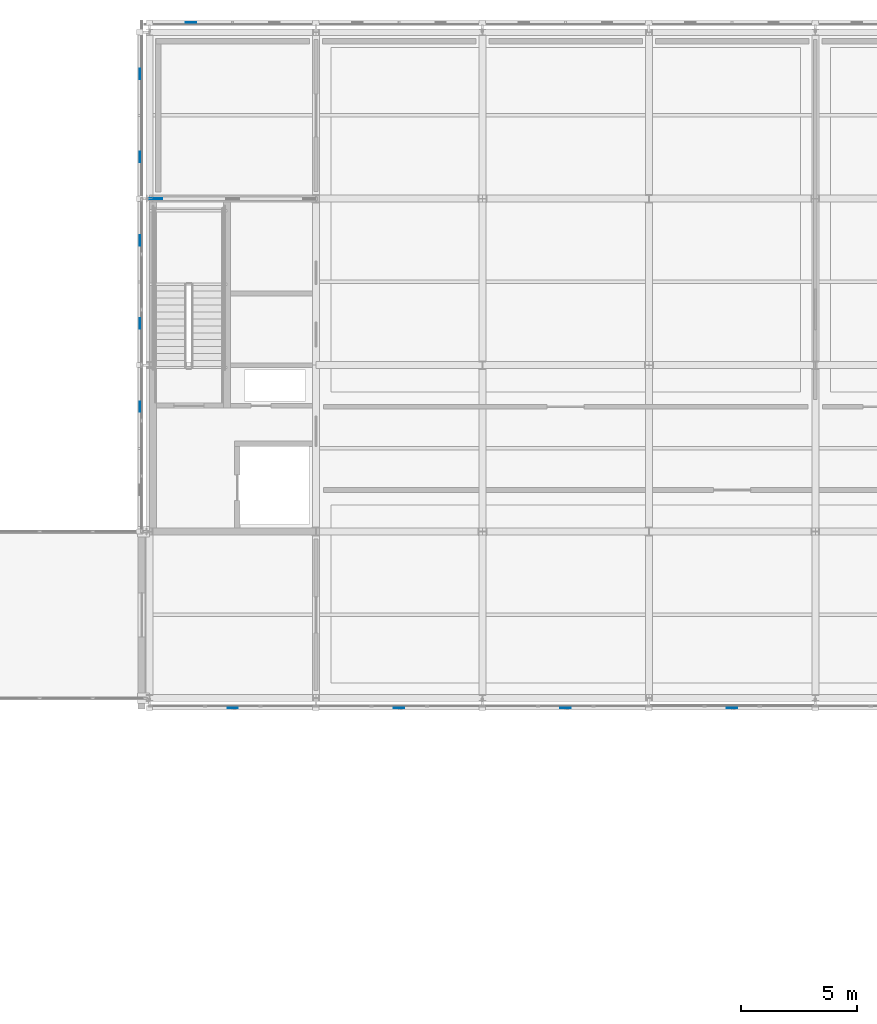
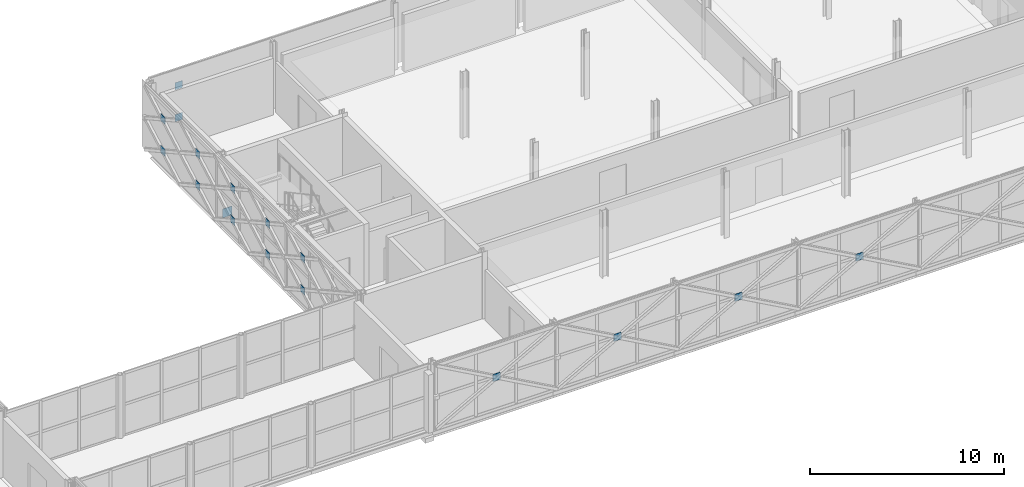
# One storey, part 81 of 103: 17 plates.
"""IFC4 building model written with IfcOpenShell, lengths in metres."""

from ifc_helpers import new_model, si_unit, direction, frame, origin, origin_2d, place, context, subcontext, project, spatial, rectangle, extrude, material, layer, layer_set, type_object, element, save


model = new_model("IFC4")

# Units and contexts
model_context = context("Model", 3, precision=1e-05, world=origin(), true_north=direction((0.0, 1.0)))
body_context = subcontext(model_context, "Body", "Model", "MODEL_VIEW")
ifc_project = project(units=[si_unit("LENGTHUNIT", "METRE"), si_unit("AREAUNIT", "SQUARE_METRE"), si_unit("VOLUMEUNIT", "CUBIC_METRE"), si_unit("PLANEANGLEUNIT", "RADIAN"), si_unit("MASSUNIT", "GRAM", prefix="KILO")], contexts=[model_context])

# Site, building, storey
site_placement = place(None, origin())
site = spatial("IfcSite", under=ifc_project, at=site_placement, CompositionType="ELEMENT")
building_placement = place(site_placement, origin())
building = spatial("IfcBuilding", under=site, at=building_placement, Name="Zlatovets Crest Museum", CompositionType="ELEMENT")
storey_placement = place(building_placement, frame((0.0, 0.0, 12.89990234375)))
storey = spatial("IfcBuildingStorey", under=building, at=storey_placement, Name="L03", CompositionType="ELEMENT", Elevation=12.89990234375)

# Plates
ifc_material = material(Name="Structural steel S355J2", Category="steel")
ifc_layer_1 = layer(ifc_material, 0.02490234375)
ifc_layer_set_1 = layer_set([ifc_layer_1], Name="Structural steel S355J2")
plate_type_1 = type_object("IfcPlateType", Name="Gusset_GP-01", PredefinedType="USERDEFINED", material=ifc_layer_set_1)
plate_placement = place(storey_placement, frame((57.8798828125, 108.0, 0.0048828125), z_axis=(0.0, 0.0, 1.0), x_axis=(1.0, 0.0, 0.0)))
element("IfcPlate", 1, at=plate_placement, inside=storey, type_object=plate_type_1, Name="V1 L03 Brace End Gusset Plate GP-01", ObjectType="GUSSET", PredefinedType="USERDEFINED", context=body_context, shape_type="SweptSolid", body=[
    extrude(rectangle(XDim=0.550048828125, YDim=0.02490234375, at=origin_2d()), origin(), (0.0, 0.0, 1.0), 0.550048828125),
])
ifc_layer_2 = layer(ifc_material, 0.02001953125)
ifc_layer_set_2 = layer_set([ifc_layer_2], Name="Structural steel S355J2")
plate_type_2 = type_object("IfcPlateType", Name="Gusset_GP-04", PredefinedType="USERDEFINED", material=ifc_layer_set_2)
for number, where, z_axis, x_axis, name in (
    (2, (61.199951171875, 85.97998046875, 1.875), (0.0, 0.0, 1.0), (1.0, 0.0, 0.0), "X-Brace Crossing Node Gusset Plate GP-04"),
    (3, (68.39990234375, 85.97998046875, 1.875), (0.0, 0.0, 1.0), (1.0, 0.0, 0.0), "X-Brace Crossing Node Gusset Plate GP-04"),
    (4, (75.60009765625, 85.97998046875, 1.875), (0.0, 0.0, 1.0), (1.0, 0.0, 0.0), "X-Brace Crossing Node Gusset Plate GP-04"),
    (5, (82.800048828125, 85.97998046875, 1.875), (0.0, 0.0, 1.0), (1.0, 0.0, 0.0), "X-Brace Crossing Node Gusset Plate GP-04"),
    (6, (59.39990234375, 115.6201171875, 0.875), (0.0, 0.0, 1.0), (1.0, 0.0, 0.0), "X-Brace Crossing Node Gusset Plate GP-04"),
    (7, (59.39990234375, 115.6201171875, 2.875), (0.0, 0.0, 1.0), (1.0, 0.0, 0.0), "X-Brace Crossing Node Gusset Plate GP-04"),
):
    element("IfcPlate", number, at=place(storey_placement, frame(where, z_axis=z_axis, x_axis=x_axis)), inside=storey, type_object=plate_type_2, Name=name, ObjectType="GUSSET", PredefinedType="USERDEFINED", context=body_context, shape_type="SweptSolid", body=[
        extrude(rectangle(XDim=0.449951171875, YDim=0.02001953125, at=origin_2d()), origin(), (0.0, 0.0, 1.0), 0.449951171875),
    ])
for number, where, z_axis, x_axis, name in (
    (8, (57.179931640625, 113.39990234375, 0.875), (0.0, 0.0, 1.0), (1.0, 0.0, 0.0), "X-Brace Crossing Node Gusset Plate GP-04"),
    (9, (57.179931640625, 109.800048828125, 0.875), (0.0, 0.0, 1.0), (1.0, 0.0, 0.0), "X-Brace Crossing Node Gusset Plate GP-04"),
    (10, (57.179931640625, 113.39990234375, 2.875), (0.0, 0.0, 1.0), (1.0, 0.0, 0.0), "X-Brace Crossing Node Gusset Plate GP-04"),
    (11, (57.179931640625, 109.800048828125, 2.875), (0.0, 0.0, 1.0), (1.0, 0.0, 0.0), "X-Brace Crossing Node Gusset Plate GP-04"),
    (12, (57.179931640625, 106.199951171875, 0.875), (0.0, 0.0, 1.0), (1.0, 0.0, 0.0), "X-Brace Crossing Node Gusset Plate GP-04"),
    (13, (57.179931640625, 102.60009765625, 0.875), (0.0, 0.0, 1.0), (1.0, 0.0, 0.0), "X-Brace Crossing Node Gusset Plate GP-04"),
    (14, (57.179931640625, 106.199951171875, 2.875), (0.0, 0.0, 1.0), (1.0, 0.0, 0.0), "X-Brace Crossing Node Gusset Plate GP-04"),
    (15, (57.179931640625, 102.60009765625, 2.875), (0.0, 0.0, 1.0), (1.0, 0.0, 0.0), "X-Brace Crossing Node Gusset Plate GP-04"),
    (16, (57.179931640625, 99.0, 0.875), (0.0, 0.0, 1.0), (1.0, 0.0, 0.0), "X-Brace Crossing Node Gusset Plate GP-04"),
    (17, (57.179931640625, 99.0, 2.875), (0.0, 0.0, 1.0), (1.0, 0.0, 0.0), "X-Brace Crossing Node Gusset Plate GP-04"),
):
    element("IfcPlate", number, at=place(storey_placement, frame(where, z_axis=z_axis, x_axis=x_axis)), inside=storey, type_object=plate_type_2, Name=name, ObjectType="GUSSET", PredefinedType="USERDEFINED", context=body_context, shape_type="SweptSolid", body=[
        extrude(rectangle(XDim=0.02001953125, YDim=0.449951171875, at=origin_2d()), origin(), (0.0, 0.0, 1.0), 0.449951171875),
    ])

save(model, "model.ifc")
